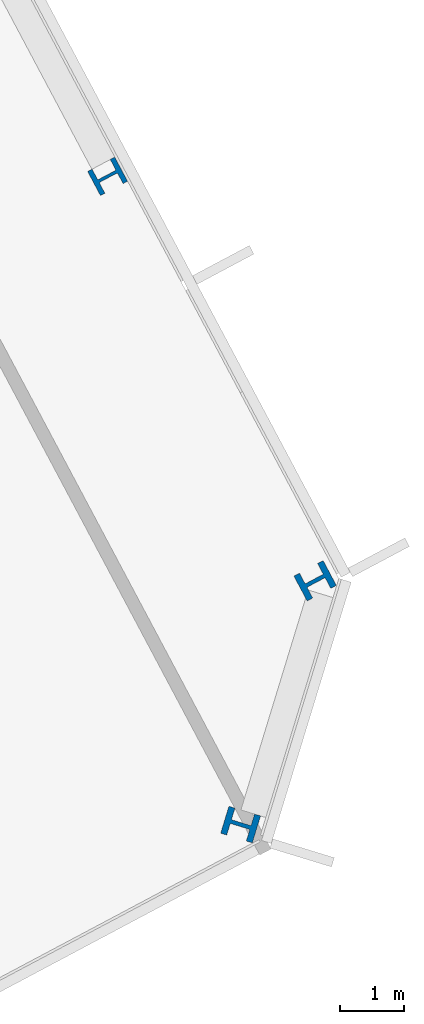
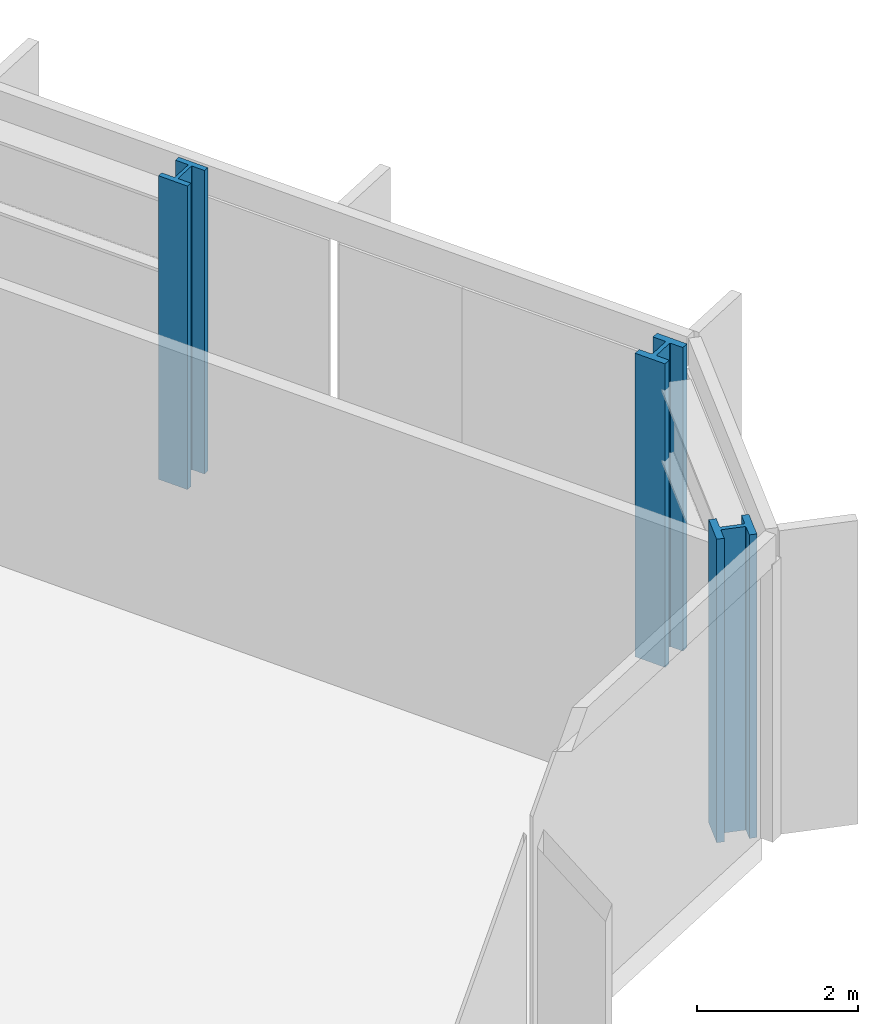
# One storey, part 6 of 30: 3 columns.
"""IFC4 building model written with IfcOpenShell, lengths in metres."""

from ifc_helpers import new_model, si_unit, direction, frame, origin, origin_2d, place, context, subcontext, project, spatial, i_section, extrude, material, material_profile, profile_set, type_object, element, save


model = new_model("IFC4")

# Units and contexts
model_context = context("Model", 3, precision=1e-05, world=origin(), true_north=direction((0.0, 1.0)))
body_context = subcontext(model_context, "Body", "Model", "MODEL_VIEW")
ifc_project = project(units=[si_unit("LENGTHUNIT", "METRE"), si_unit("AREAUNIT", "SQUARE_METRE"), si_unit("VOLUMEUNIT", "CUBIC_METRE"), si_unit("PLANEANGLEUNIT", "RADIAN"), si_unit("MASSUNIT", "GRAM", prefix="KILO")], contexts=[model_context])

# Site, building, storey
site_placement = place(None, origin())
site = spatial("IfcSite", under=ifc_project, at=site_placement, CompositionType="ELEMENT")
building_placement = place(site_placement, origin())
building = spatial("IfcBuilding", under=site, at=building_placement, Name="Cormorant Relay Tower", CompositionType="ELEMENT")
storey_placement = place(building_placement, frame((0.0, 0.0, 89.199951171875)))
storey = spatial("IfcBuildingStorey", under=building, at=storey_placement, Name="L17", CompositionType="ELEMENT", Elevation=89.199951171875)

# Columns
ifc_material_1 = material(Name="Steel ASTM A992 (Fy 345 MPa)", Category="steel")
ifc_material_profile_1 = material_profile(ifc_material_1, i_section(OverallWidth=0.42431640625, OverallDepth=0.47509765625, WebThickness=0.0478515625, FlangeThickness=0.0771484375, FilletRadius=0.014892578125, at=origin_2d()), Name="W360x634")
ifc_profile_set_1 = profile_set([ifc_material_profile_1], Name="Steel ASTM A992 (Fy 345 MPa)")
column_type_1 = type_object("IfcColumnType", Name="Column W360x634", PredefinedType="COLUMN", material=ifc_profile_set_1)
column_placement = place(storey_placement, frame((68.430908203125, 24.153076171875, 0.0), z_axis=(0.0, 0.0, 1.0), x_axis=(-0.469471562786, 0.882947592859, 0.0)))
element("IfcColumn", 1, at=column_placement, inside=storey, type_object=column_type_1, Name="Column L17-033", PredefinedType="COLUMN", context=body_context, shape_type="SweptSolid", body=[
    extrude(i_section(OverallWidth=0.42431640625, OverallDepth=0.47509765625, WebThickness=0.0478515625, FlangeThickness=0.0771484375, FilletRadius=0.014892578125, at=origin_2d()), origin(), (0.0, 0.0, 1.0), 4.60009765625),
])
ifc_material_2 = material(Name="Steel ASTM A992 (Fy 345 MPa)", Category="steel")
ifc_material_profile_2 = material_profile(ifc_material_2, i_section(OverallWidth=0.43701171875, OverallDepth=0.51318359375, WebThickness=0.060546875, FlangeThickness=0.096923828125, FilletRadius=0.015380859375, at=origin_2d()), Name="W360x818")
ifc_profile_set_2 = profile_set([ifc_material_profile_2], Name="Steel ASTM A992 (Fy 345 MPa)")
column_type_2 = type_object("IfcColumnType", Name="Column W360x818", PredefinedType="COLUMN", material=ifc_profile_set_2)
for number, where, z_axis, x_axis, name in (
    (2, (70.4970703125, 14.0869140625, 0.0), (0.0, 0.0, 1.0), (0.292371704723, 0.956304755963, 0.0), "Column L17-026"),
    (3, (71.654052734375, 17.873046875, 0.0), (0.0, 0.0, 1.0), (-0.469471562786, 0.882947592859, 0.0), "Column L17-028"),
):
    element("IfcColumn", number, at=place(storey_placement, frame(where, z_axis=z_axis, x_axis=x_axis)), inside=storey, type_object=column_type_2, Name=name, PredefinedType="COLUMN", context=body_context, shape_type="SweptSolid", body=[
        extrude(i_section(OverallWidth=0.43701171875, OverallDepth=0.51318359375, WebThickness=0.060546875, FlangeThickness=0.096923828125, FilletRadius=0.015380859375, at=origin_2d()), origin(), (0.0, 0.0, 1.0), 4.60009765625),
    ])

save(model, "model.ifc")
